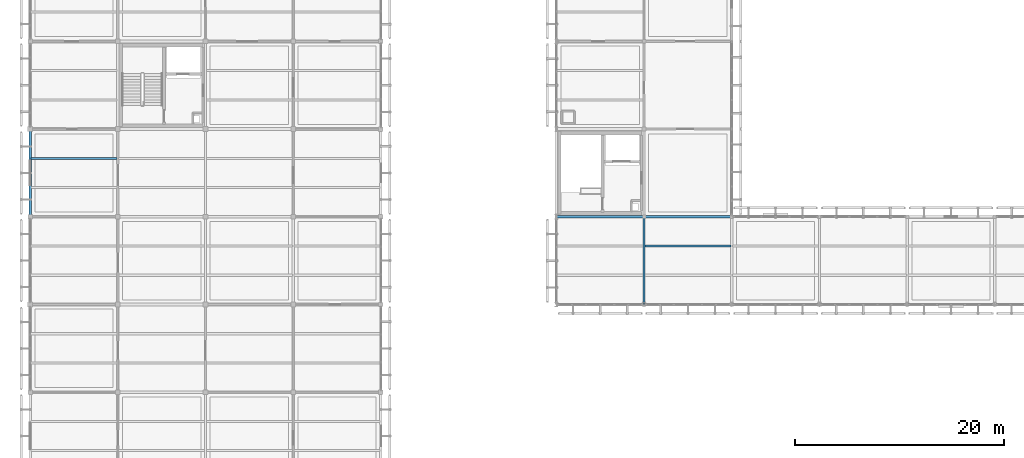
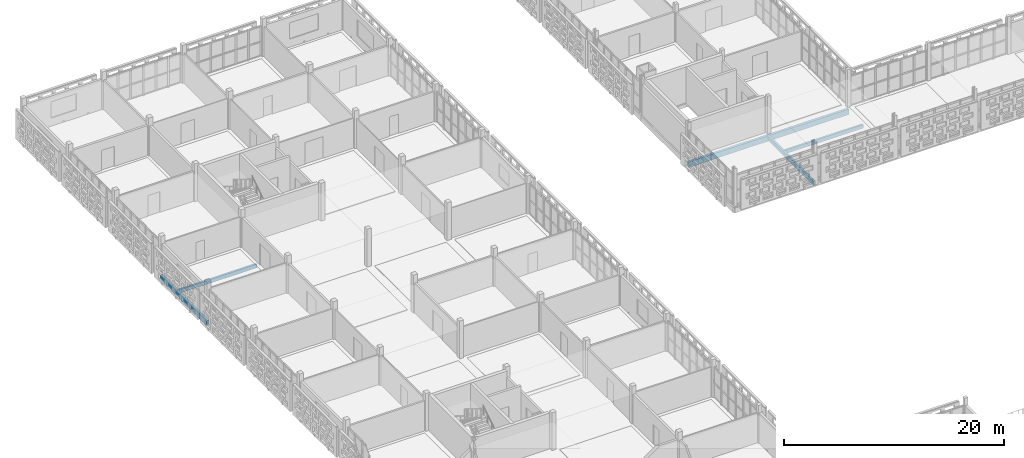
# One storey, part 44 of 140: 6 beams.
"""IFC4 building model written with IfcOpenShell, lengths in metres."""

from ifc_helpers import new_model, si_unit, direction, frame, origin, origin_2d, place, context, subcontext, project, spatial, rectangle, extrude, material, material_profile, profile_set, type_object, element, save


model = new_model("IFC4")

# Units and contexts
model_context = context("Model", 3, precision=1e-05, world=origin(), true_north=direction((0.0, 1.0)))
body_context = subcontext(model_context, "Body", "Model", "MODEL_VIEW")
ifc_project = project(units=[si_unit("LENGTHUNIT", "METRE"), si_unit("AREAUNIT", "SQUARE_METRE"), si_unit("VOLUMEUNIT", "CUBIC_METRE"), si_unit("PLANEANGLEUNIT", "RADIAN"), si_unit("MASSUNIT", "GRAM", prefix="KILO")], contexts=[model_context])

# Site, building, storey
site_placement = place(None, origin())
site = spatial("IfcSite", under=ifc_project, at=site_placement, CompositionType="ELEMENT")
building_placement = place(site_placement, origin())
building = spatial("IfcBuilding", under=site, at=building_placement, Name="Varnapada Polytechnic", CompositionType="ELEMENT")
storey_placement = place(building_placement, frame((0.0, 0.0, 13.800048828125)))
storey = spatial("IfcBuildingStorey", under=building, at=storey_placement, Name="L03", CompositionType="ELEMENT", Elevation=13.800048828125)

# Beams
ifc_material = material(Name="Glulam GL32h", Category="wood")
ifc_material_profile_1 = material_profile(ifc_material, rectangle(XDim=0.199951171875, YDim=0.39990234375, at=origin_2d()), Name="GL 200x400")
ifc_profile_set_1 = profile_set([ifc_material_profile_1], Name="Glulam GL32h")
beam_type_1 = type_object("IfcBeamType", Name="Library/laboratory glulam floor joist GJ-01 (GL 200x400)", PredefinedType="JOIST", material=ifc_profile_set_1)
beam_1_placement = place(storey_placement, frame((0.080078125, 98.0, -0.43994140625), z_axis=(1.0, 0.0, 0.0), x_axis=(0.0, 1.0, 0.0)))
element("IfcBeam", 1, at=beam_1_placement, inside=storey, type_object=beam_type_1, Name="L03 floor joist 1/12.2", PredefinedType="JOIST", context=body_context, shape_type="SweptSolid", body=[
    extrude(rectangle(XDim=0.199951171875, YDim=0.39990234375, at=origin_2d()), origin(), (0.0, 0.0, 1.0), 8.239990234375),
])
beam_2_placement = place(storey_placement, frame((58.8798828125, 89.60009765625, -0.43994140625), z_axis=(1.0, 0.0, 0.0), x_axis=(0.0, 1.0, 0.0)))
element("IfcBeam", 2, at=beam_2_placement, inside=storey, type_object=beam_type_1, Name="L03 floor joist 8/11.2", PredefinedType="JOIST", context=body_context, shape_type="SweptSolid", body=[
    extrude(rectangle(XDim=0.199951171875, YDim=0.39990234375, at=origin_2d()), origin(), (0.0, 0.0, 1.0), 8.240234375),
])
ifc_material_profile_2 = material_profile(ifc_material, rectangle(XDim=0.239990234375, YDim=0.56005859375, at=origin_2d()), Name="GL 240x560")
ifc_profile_set_2 = profile_set([ifc_material_profile_2], Name="Glulam GL32h")
beam_type_2 = type_object("IfcBeamType", Name="Perimeter glulam spandrel beam SP-02 (GL 240x560)", PredefinedType="SPANDREL", material=ifc_profile_set_2)
beam_3_placement = place(storey_placement, frame((0.0, 92.39990234375, -0.52001953125), z_axis=(0.0, 1.0, 0.0), x_axis=(-1.0, 0.0, 0.0)))
element("IfcBeam", 3, at=beam_3_placement, inside=storey, type_object=beam_type_2, Name="L03 beam Y 12-13 at X1", PredefinedType="SPANDREL", context=body_context, shape_type="SweptSolid", body=[
    extrude(rectangle(XDim=0.239990234375, YDim=0.56005859375, at=origin_2d()), origin(), (0.0, 0.0, 1.0), 8.400146484375),
])
ifc_material_profile_3 = material_profile(ifc_material, rectangle(XDim=0.260009765625, YDim=0.60009765625, at=origin_2d()), Name="GL 260x600")
ifc_profile_set_3 = profile_set([ifc_material_profile_3], Name="Glulam GL32h")
beam_type_3 = type_object("IfcBeamType", Name="Seminar wing glulam girder GG-05 (GL 260x600)", PredefinedType="BEAM", material=ifc_profile_set_3)
beam_4_placement = place(storey_placement, frame((50.39990234375, 92.39990234375, -0.5400390625), z_axis=(1.0, 0.0, 0.0), x_axis=(0.0, 1.0, 0.0)))
element("IfcBeam", 4, at=beam_4_placement, inside=storey, type_object=beam_type_3, Name="L03 beam X 7-8 at Y12", PredefinedType="BEAM", context=body_context, shape_type="SweptSolid", body=[
    extrude(rectangle(XDim=0.260009765625, YDim=0.60009765625, at=origin_2d()), origin(), (0.0, 0.0, 1.0), 8.400146484375),
])
beam_5_placement = place(storey_placement, frame((58.800048828125, 92.39990234375, -0.5400390625), z_axis=(1.0, 0.0, 0.0), x_axis=(0.0, 1.0, 0.0)))
element("IfcBeam", 5, at=beam_5_placement, inside=storey, type_object=beam_type_3, Name="L03 beam X 8-9 at Y12", PredefinedType="BEAM", context=body_context, shape_type="SweptSolid", body=[
    extrude(rectangle(XDim=0.260009765625, YDim=0.60009765625, at=origin_2d()), origin(), (0.0, 0.0, 1.0), 8.39990234375),
])
ifc_material_profile_4 = material_profile(ifc_material, rectangle(XDim=0.219970703125, YDim=0.47998046875, at=origin_2d()), Name="GL 220x480")
ifc_profile_set_4 = profile_set([ifc_material_profile_4], Name="Glulam GL32h")
beam_type_4 = type_object("IfcBeamType", Name="Upper floor glulam tie beam GB-11 (GL 220x480)", PredefinedType="BEAM", material=ifc_profile_set_4)
beam_6_placement = place(storey_placement, frame((58.800048828125, 84.0, -0.47998046875), z_axis=(0.0, 1.0, 0.0), x_axis=(-1.0, 0.0, 0.0)))
element("IfcBeam", 6, at=beam_6_placement, inside=storey, type_object=beam_type_4, Name="L03 beam Y 11-12 at X8", PredefinedType="BEAM", context=body_context, shape_type="SweptSolid", body=[
    extrude(rectangle(XDim=0.219970703125, YDim=0.47998046875, at=origin_2d()), origin(), (0.0, 0.0, 1.0), 8.39990234375),
])

save(model, "model.ifc")
